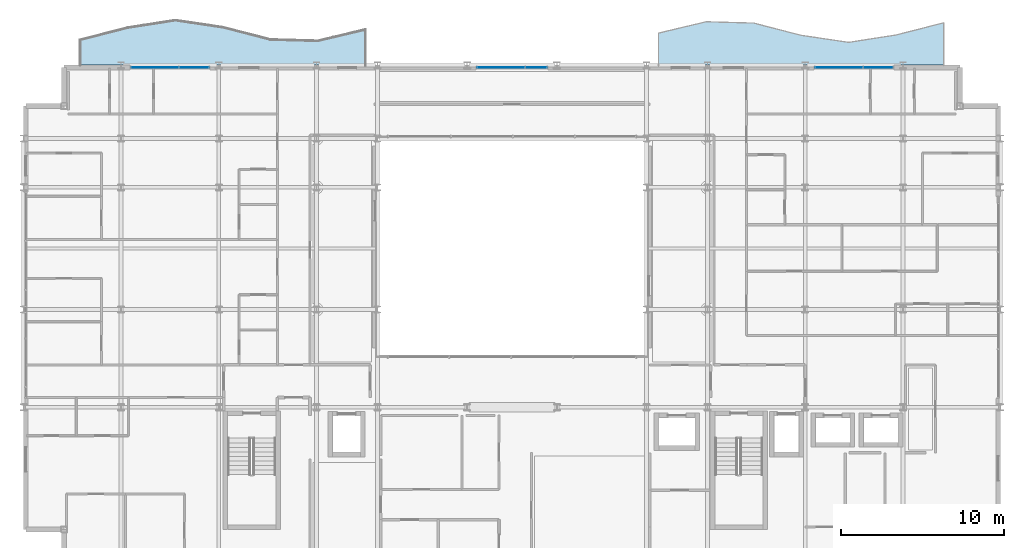
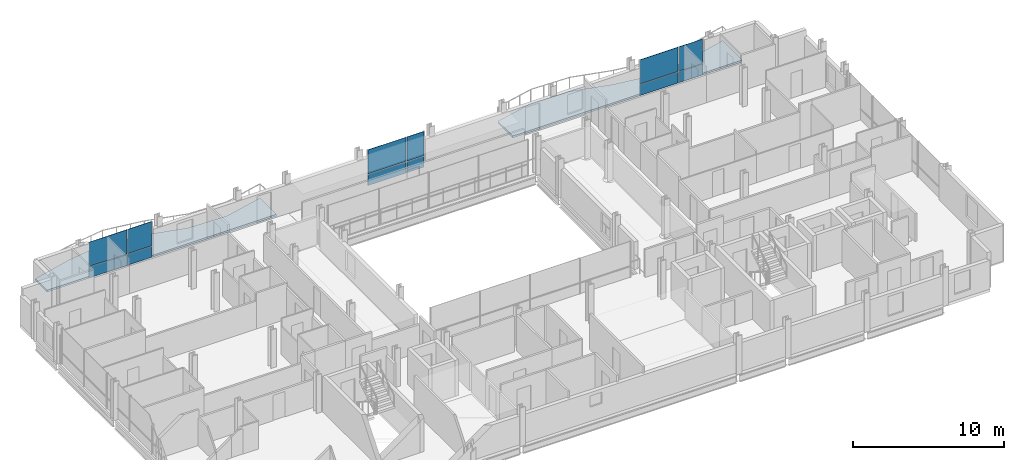
# One storey, part 31 of 41: 12 plates, 2 slabs, 3 elements without a shape of their own.
"""IFC4 building model written with IfcOpenShell, lengths in metres."""

from ifc_helpers import new_model, si_unit, direction, frame, origin, origin_2d, place, context, subcontext, project, spatial, polyline, rectangle, outline, extrude, material, layer, layer_set, type_object, element, aggregate, save


model = new_model("IFC4")

# Units and contexts
model_context = context("Model", 3, precision=1e-05, world=origin(), true_north=direction((0.0, 1.0)))
body_context = subcontext(model_context, "Body", "Model", "MODEL_VIEW")
ifc_project = project(units=[si_unit("LENGTHUNIT", "METRE"), si_unit("AREAUNIT", "SQUARE_METRE"), si_unit("VOLUMEUNIT", "CUBIC_METRE"), si_unit("PLANEANGLEUNIT", "RADIAN"), si_unit("MASSUNIT", "GRAM", prefix="KILO")], contexts=[model_context])

# Site, building, storey
site_placement = place(None, origin())
site = spatial("IfcSite", under=ifc_project, at=site_placement, CompositionType="ELEMENT")
building_placement = place(site_placement, origin())
building = spatial("IfcBuilding", under=site, at=building_placement, Name="Brevholm Reach", CompositionType="ELEMENT")
storey_placement = place(building_placement, frame((0.0, 0.0, 144.89990234375)))
storey = spatial("IfcBuildingStorey", under=building, at=storey_placement, Name="L43", CompositionType="ELEMENT", Elevation=144.89990234375)

# Curtain wall, plates
ifc_material_1 = material(Name="Dark Anodised Aluminium 6063-T6 and Solar-Control Glass", Category="aluminium")
ifc_layer_1 = layer(ifc_material_1, 0.14990234375)
ifc_layer_set_1 = layer_set([ifc_layer_1], Name="Dark Anodised Aluminium 6063-T6 and Solar-Control Glass")
curtain_wall_type = type_object("IfcCurtainWallType", Name="CW-01", PredefinedType="NOTDEFINED", material=ifc_layer_set_1)
curtain_wall_1_placement = place(storey_placement, origin())
curtain_wall_1 = element("IfcCurtainWall", 1, at=curtain_wall_1_placement, inside=storey, type_object=curtain_wall_type, Name="L43 Curtain Wall CW-01", PredefinedType="NOTDEFINED")
ifc_material_2 = material(Name="Dark Solar-Control Double-Glazed IGU Glass", Category="glass")
ifc_layer_2 = layer(ifc_material_2, 0.028076171875)
ifc_layer_set_2 = layer_set([ifc_layer_2], Name="Dark Solar-Control Double-Glazed IGU Glass")
plate_type = type_object("IfcPlateType", Name="CWP-GLZ-28", PredefinedType="CURTAIN_PANEL", material=ifc_layer_set_2)
plate_1_placement = place(storey_placement, frame((8.066162109375, 30.85009765625, 0.0), z_axis=(0.0, 0.0, 1.0), x_axis=(1.0, 0.0, 0.0)))
plate_1 = element("IfcPlate", 2, at=plate_1_placement, type_object=plate_type, Name="CP-01 Glazing Panel 1.1", PredefinedType="CURTAIN_PANEL", context=body_context, shape_type="SweptSolid", body=[
    extrude(rectangle(XDim=2.902587890625, YDim=0.028076171875, at=origin_2d()), origin(), (0.0, 0.0, 1.0), 0.867431640625),
])
plate_2_placement = place(storey_placement, frame((8.066162109375, 30.85009765625, 0.9326171875), z_axis=(0.0, 0.0, 1.0), x_axis=(1.0, 0.0, 0.0)))
plate_2 = element("IfcPlate", 3, at=plate_2_placement, type_object=plate_type, Name="CP-01 Glazing Panel 1.2", PredefinedType="CURTAIN_PANEL", context=body_context, shape_type="SweptSolid", body=[
    extrude(rectangle(XDim=2.902587890625, YDim=0.028076171875, at=origin_2d()), origin(), (0.0, 0.0, 1.0), 1.947509765625),
])
plate_3_placement = place(storey_placement, frame((10.483642578125, 30.85009765625, 0.0), z_axis=(0.0, 0.0, 1.0), x_axis=(1.0, 0.0, 0.0)))
plate_3 = element("IfcPlate", 4, at=plate_3_placement, type_object=plate_type, Name="CP-01 Glazing Panel 2.1", PredefinedType="CURTAIN_PANEL", context=body_context, shape_type="SweptSolid", body=[
    extrude(rectangle(XDim=1.802490234375, YDim=0.028076171875, at=origin_2d()), origin(), (0.0, 0.0, 1.0), 0.867431640625),
])
plate_4_placement = place(storey_placement, frame((10.483642578125, 30.85009765625, 0.9326171875), z_axis=(0.0, 0.0, 1.0), x_axis=(1.0, 0.0, 0.0)))
plate_4 = element("IfcPlate", 5, at=plate_4_placement, type_object=plate_type, Name="CP-01 Glazing Panel 2.2", PredefinedType="CURTAIN_PANEL", context=body_context, shape_type="SweptSolid", body=[
    extrude(rectangle(XDim=1.802490234375, YDim=0.028076171875, at=origin_2d()), origin(), (0.0, 0.0, 1.0), 1.947509765625),
])
aggregate(curtain_wall_1, [plate_1, plate_2, plate_3, plate_4])

curtain_wall_2_placement = place(storey_placement, origin())
curtain_wall_2 = element("IfcCurtainWall", 6, at=curtain_wall_2_placement, inside=storey, type_object=curtain_wall_type, Name="L43 Curtain Wall CW-01", PredefinedType="NOTDEFINED")
plate_5_placement = place(storey_placement, frame((29.316162109375, 30.85009765625, 0.0), z_axis=(0.0, 0.0, 1.0), x_axis=(1.0, 0.0, 0.0)))
plate_5 = element("IfcPlate", 7, at=plate_5_placement, type_object=plate_type, Name="CP-01 Glazing Panel 1.1", PredefinedType="CURTAIN_PANEL", context=body_context, shape_type="SweptSolid", body=[
    extrude(rectangle(XDim=2.902587890625, YDim=0.028076171875, at=origin_2d()), origin(), (0.0, 0.0, 1.0), 0.867431640625),
])
plate_6_placement = place(storey_placement, frame((29.316162109375, 30.85009765625, 0.9326171875), z_axis=(0.0, 0.0, 1.0), x_axis=(1.0, 0.0, 0.0)))
plate_6 = element("IfcPlate", 8, at=plate_6_placement, type_object=plate_type, Name="CP-01 Glazing Panel 1.2", PredefinedType="CURTAIN_PANEL", context=body_context, shape_type="SweptSolid", body=[
    extrude(rectangle(XDim=2.902587890625, YDim=0.028076171875, at=origin_2d()), origin(), (0.0, 0.0, 1.0), 1.947509765625),
])
plate_7_placement = place(storey_placement, frame((31.483642578125, 30.85009765625, 0.0), z_axis=(0.0, 0.0, 1.0), x_axis=(1.0, 0.0, 0.0)))
plate_7 = element("IfcPlate", 9, at=plate_7_placement, type_object=plate_type, Name="CP-01 Glazing Panel 2.1", PredefinedType="CURTAIN_PANEL", context=body_context, shape_type="SweptSolid", body=[
    extrude(rectangle(XDim=1.302490234375, YDim=0.028076171875, at=origin_2d()), origin(), (0.0, 0.0, 1.0), 0.867431640625),
])
plate_8_placement = place(storey_placement, frame((31.483642578125, 30.85009765625, 0.9326171875), z_axis=(0.0, 0.0, 1.0), x_axis=(1.0, 0.0, 0.0)))
plate_8 = element("IfcPlate", 10, at=plate_8_placement, type_object=plate_type, Name="CP-01 Glazing Panel 2.2", PredefinedType="CURTAIN_PANEL", context=body_context, shape_type="SweptSolid", body=[
    extrude(rectangle(XDim=1.302490234375, YDim=0.028076171875, at=origin_2d()), origin(), (0.0, 0.0, 1.0), 1.947509765625),
])
aggregate(curtain_wall_2, [plate_5, plate_6, plate_7, plate_8])

curtain_wall_3_placement = place(storey_placement, origin())
curtain_wall_3 = element("IfcCurtainWall", 11, at=curtain_wall_3_placement, inside=storey, type_object=curtain_wall_type, Name="L43 Curtain Wall CW-01", PredefinedType="NOTDEFINED")
plate_9_placement = place(storey_placement, frame((50.066162109375, 30.85009765625, 0.0), z_axis=(0.0, 0.0, 1.0), x_axis=(1.0, 0.0, 0.0)))
plate_9 = element("IfcPlate", 12, at=plate_9_placement, type_object=plate_type, Name="CP-01 Glazing Panel 1.1", PredefinedType="CURTAIN_PANEL", context=body_context, shape_type="SweptSolid", body=[
    extrude(rectangle(XDim=2.902587890625, YDim=0.028076171875, at=origin_2d()), origin(), (0.0, 0.0, 1.0), 0.867431640625),
])
plate_10_placement = place(storey_placement, frame((50.066162109375, 30.85009765625, 0.9326171875), z_axis=(0.0, 0.0, 1.0), x_axis=(1.0, 0.0, 0.0)))
plate_10 = element("IfcPlate", 13, at=plate_10_placement, type_object=plate_type, Name="CP-01 Glazing Panel 1.2", PredefinedType="CURTAIN_PANEL", context=body_context, shape_type="SweptSolid", body=[
    extrude(rectangle(XDim=2.902587890625, YDim=0.028076171875, at=origin_2d()), origin(), (0.0, 0.0, 1.0), 1.947509765625),
])
plate_11_placement = place(storey_placement, frame((52.483642578125, 30.85009765625, 0.0), z_axis=(0.0, 0.0, 1.0), x_axis=(1.0, 0.0, 0.0)))
plate_11 = element("IfcPlate", 14, at=plate_11_placement, type_object=plate_type, Name="CP-01 Glazing Panel 2.1", PredefinedType="CURTAIN_PANEL", context=body_context, shape_type="SweptSolid", body=[
    extrude(rectangle(XDim=1.802490234375, YDim=0.028076171875, at=origin_2d()), origin(), (0.0, 0.0, 1.0), 0.867431640625),
])
plate_12_placement = place(storey_placement, frame((52.483642578125, 30.85009765625, 0.9326171875), z_axis=(0.0, 0.0, 1.0), x_axis=(1.0, 0.0, 0.0)))
plate_12 = element("IfcPlate", 15, at=plate_12_placement, type_object=plate_type, Name="CP-01 Glazing Panel 2.2", PredefinedType="CURTAIN_PANEL", context=body_context, shape_type="SweptSolid", body=[
    extrude(rectangle(XDim=1.802490234375, YDim=0.028076171875, at=origin_2d()), origin(), (0.0, 0.0, 1.0), 1.947509765625),
])
aggregate(curtain_wall_3, [plate_9, plate_10, plate_11, plate_12])

# Slabs
ifc_material_3 = material(Name="Precast Concrete C45/55", Category="concrete")
ifc_layer_3 = layer(ifc_material_3, 0.14990234375)
ifc_layer_set_3 = layer_set([ifc_layer_3], Name="Precast Concrete C45/55")
slab_type = type_object("IfcSlabType", Name="SLB-BAL-150", PredefinedType="FLOOR", material=ifc_layer_set_3)
slab_1_placement = place(storey_placement, frame((0.0, 0.0, -0.14990234375)))
element("IfcSlab", 16, at=slab_1_placement, inside=storey, type_object=slab_type, Name="L43 Rippling External Balcony NE", PredefinedType="FLOOR", context=body_context, shape_type="SweptSolid", body=[
    extrude(outline(polyline([(39.0, 31.0), (56.5, 31.0), (56.5, 33.599609375), (53.583251953125, 32.855224609375), (50.666748046875, 32.400146484375), (47.75, 32.8330078125), (44.833251953125, 33.58447265625), (41.916748046875, 33.665283203125), (39.0, 32.969482421875), (39.0, 31.0)])), origin(), (0.0, 0.0, 1.0), 0.14990234375),
])
slab_2_placement = place(storey_placement, frame((0.0, 0.0, -0.14990234375)))
element("IfcSlab", 17, at=slab_2_placement, inside=storey, type_object=slab_type, Name="L43 Rippling External Balcony NW", PredefinedType="FLOOR", context=body_context, shape_type="SweptSolid", body=[
    extrude(outline(polyline([(3.5, 31.0), (21.0, 31.0), (21.0, 33.1806640625), (18.083251953125, 32.484619140625), (15.166748046875, 32.565673828125), (12.25, 33.31689453125), (9.333251953125, 33.75), (6.416748046875, 33.294921875), (3.5, 32.55029296875), (3.5, 31.0)])), origin(), (0.0, 0.0, 1.0), 0.14990234375),
])

save(model, "model.ifc")
